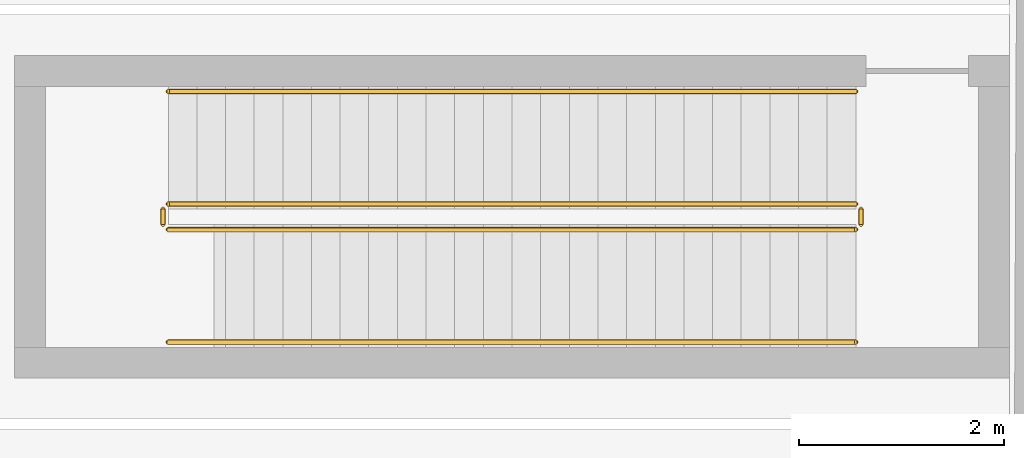
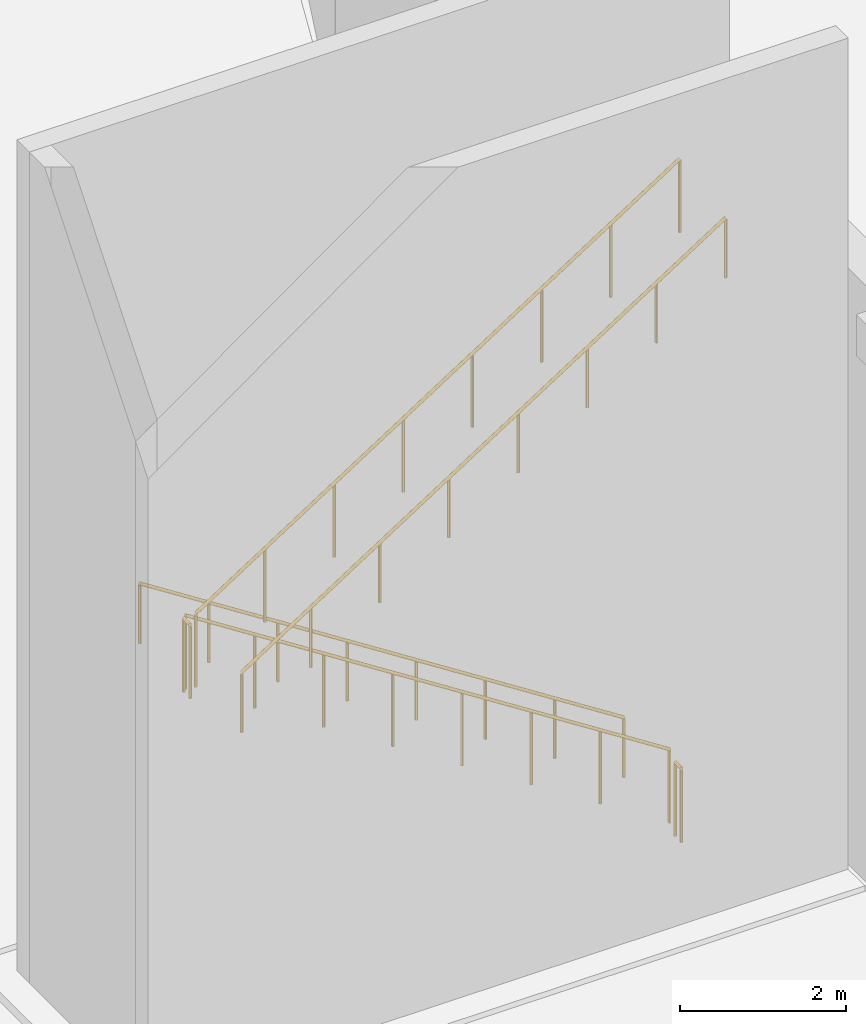
# One storey, part 18 of 29: 6 railings.
"""IFC4 building model written with IfcOpenShell, lengths in metres."""

from ifc_helpers import new_model, si_unit, direction, frame, origin, origin_2d, place, context, subcontext, project, spatial, circle, extrude, material, type_object, element, save


model = new_model("IFC4")

# Units and contexts
model_context = context("Model", 3, precision=1e-05, world=origin(), true_north=direction((0.0, 1.0)))
body_context = subcontext(model_context, "Body", "Model", "MODEL_VIEW")
ifc_project = project(units=[si_unit("LENGTHUNIT", "METRE"), si_unit("AREAUNIT", "SQUARE_METRE"), si_unit("VOLUMEUNIT", "CUBIC_METRE"), si_unit("PLANEANGLEUNIT", "RADIAN"), si_unit("MASSUNIT", "GRAM", prefix="KILO")], contexts=[model_context])

# Site, building, storey
site_placement = place(None, origin())
site = spatial("IfcSite", under=ifc_project, at=site_placement, CompositionType="ELEMENT")
building_placement = place(site_placement, origin())
building = spatial("IfcBuilding", under=site, at=building_placement, Name="Sierra Prisma Convention Tower", CompositionType="ELEMENT")
storey_placement = place(building_placement, origin())
storey = spatial("IfcBuildingStorey", under=building, at=storey_placement, Name="L00", CompositionType="ELEMENT", Elevation=0.0)

# Railings
ifc_material_1 = material(Name="Stainless steel", Category="steel")
railing_type_1 = type_object("IfcRailingType", Name="Exit stair handrail", PredefinedType="HANDRAIL", material=ifc_material_1)
railing_1_placement = place(storey_placement, frame((-47.8544921875, -19.375, 0.179931640625)))
element("IfcRailing", 1, at=railing_1_placement, inside=storey, type_object=railing_type_1, Name="L00 EX1 stair handrail 1", PredefinedType="HANDRAIL", context=body_context, shape_type="SweptSolid", body=[
    extrude(circle(Radius=0.02392578125, at=origin_2d()), frame((0.0, 0.0, 0.8759765625), z_axis=(-0.841182446993, 0.0, 0.540751413193), x_axis=(0.0, -1.0, 0.0)), (0.0, 0.0, 1.0), 7.989013671875),
    extrude(circle(Radius=0.02099609375, at=origin_2d()), origin(), (0.0, 0.0, 1.0), 0.851806640625),
    extrude(circle(Radius=0.02099609375, at=origin_2d()), frame((-0.9599609375, 0.0, 0.6171875)), (0.0, 0.0, 1.0), 0.851806640625),
    extrude(circle(Radius=0.02099609375, at=origin_2d()), frame((-1.920166015625, 0.0, 1.234375)), (0.0, 0.0, 1.0), 0.851806640625),
    extrude(circle(Radius=0.02099609375, at=origin_2d()), frame((-2.880126953125, 0.0, 1.8515625)), (0.0, 0.0, 1.0), 0.851806640625),
    extrude(circle(Radius=0.02099609375, at=origin_2d()), frame((-3.840087890625, 0.0, 2.468505859375)), (0.0, 0.0, 1.0), 0.851806640625),
    extrude(circle(Radius=0.02099609375, at=origin_2d()), frame((-4.800048828125, 0.0, 3.085693359375)), (0.0, 0.0, 1.0), 0.851806640625),
    extrude(circle(Radius=0.02099609375, at=origin_2d()), frame((-5.76025390625, 0.0, 3.702880859375)), (0.0, 0.0, 1.0), 0.851806640625),
    extrude(circle(Radius=0.02099609375, at=origin_2d()), frame((-6.72021484375, 0.0, 4.320068359375)), (0.0, 0.0, 1.0), 0.851806640625),
])
railing_2_placement = place(storey_placement, frame((-54.57470703125, -21.824951171875, 4.679931640625)))
element("IfcRailing", 2, at=railing_2_placement, inside=storey, type_object=railing_type_1, Name="L00 EX1 stair handrail 2", PredefinedType="HANDRAIL", context=body_context, shape_type="SweptSolid", body=[
    extrude(circle(Radius=0.02392578125, at=origin_2d()), frame((0.0, 0.0, 0.8759765625), z_axis=(0.841182446993, 0.0, 0.540751413193), x_axis=(0.0, 1.0, 0.0)), (0.0, 0.0, 1.0), 7.989013671875),
    extrude(circle(Radius=0.02099609375, at=origin_2d()), origin(), (0.0, 0.0, 1.0), 0.851806640625),
    extrude(circle(Radius=0.02099609375, at=origin_2d()), frame((0.9599609375, 0.0, 0.6171875)), (0.0, 0.0, 1.0), 0.851806640625),
    extrude(circle(Radius=0.02099609375, at=origin_2d()), frame((1.920166015625, 0.0, 1.234375)), (0.0, 0.0, 1.0), 0.851806640625),
    extrude(circle(Radius=0.02099609375, at=origin_2d()), frame((2.880126953125, 0.0, 1.8515625)), (0.0, 0.0, 1.0), 0.851806640625),
    extrude(circle(Radius=0.02099609375, at=origin_2d()), frame((3.840087890625, 0.0, 2.468505859375)), (0.0, 0.0, 1.0), 0.851806640625),
    extrude(circle(Radius=0.02099609375, at=origin_2d()), frame((4.800048828125, 0.0, 3.085693359375)), (0.0, 0.0, 1.0), 0.851806640625),
    extrude(circle(Radius=0.02099609375, at=origin_2d()), frame((5.76025390625, 0.0, 3.702880859375)), (0.0, 0.0, 1.0), 0.851806640625),
    extrude(circle(Radius=0.02099609375, at=origin_2d()), frame((6.72021484375, 0.0, 4.320068359375)), (0.0, 0.0, 1.0), 0.851806640625),
])
ifc_material_2 = material(Name="Stainless steel", Category="steel")
railing_type_2 = type_object("IfcRailingType", Name="Stair guard 1100", PredefinedType="GUARDRAIL", material=ifc_material_2)
railing_3_placement = place(storey_placement, frame((-47.8544921875, -20.47509765625, 0.179931640625)))
element("IfcRailing", 3, at=railing_3_placement, inside=storey, type_object=railing_type_2, Name="L00 EX1 stair guard 1", PredefinedType="GUARDRAIL", context=body_context, shape_type="SweptSolid", body=[
    extrude(circle(Radius=0.02392578125, at=origin_2d()), frame((0.0, 0.0, 1.076171875), z_axis=(-0.841182446993, 0.0, 0.540751413193), x_axis=(0.0, -1.0, 0.0)), (0.0, 0.0, 1.0), 7.989013671875),
    extrude(circle(Radius=0.02099609375, at=origin_2d()), origin(), (0.0, 0.0, 1.0), 1.052001953125),
    extrude(circle(Radius=0.02099609375, at=origin_2d()), frame((-0.9599609375, 0.0, 0.6171875)), (0.0, 0.0, 1.0), 1.052001953125),
    extrude(circle(Radius=0.02099609375, at=origin_2d()), frame((-1.920166015625, 0.0, 1.234375)), (0.0, 0.0, 1.0), 1.052001953125),
    extrude(circle(Radius=0.02099609375, at=origin_2d()), frame((-2.880126953125, 0.0, 1.8515625)), (0.0, 0.0, 1.0), 1.052001953125),
    extrude(circle(Radius=0.02099609375, at=origin_2d()), frame((-3.840087890625, 0.0, 2.468505859375)), (0.0, 0.0, 1.0), 1.052001953125),
    extrude(circle(Radius=0.02099609375, at=origin_2d()), frame((-4.800048828125, 0.0, 3.085693359375)), (0.0, 0.0, 1.0), 1.052001953125),
    extrude(circle(Radius=0.02099609375, at=origin_2d()), frame((-5.76025390625, 0.0, 3.702880859375)), (0.0, 0.0, 1.0), 1.052001953125),
    extrude(circle(Radius=0.02099609375, at=origin_2d()), frame((-6.72021484375, 0.0, 4.320068359375)), (0.0, 0.0, 1.0), 1.052001953125),
])
railing_4_placement = place(storey_placement, frame((-54.62451171875, -20.52490234375, 4.5)))
element("IfcRailing", 4, at=railing_4_placement, inside=storey, type_object=railing_type_2, Name="L00 EX1 stair guard 2", PredefinedType="GUARDRAIL", context=body_context, shape_type="SweptSolid", body=[
    extrude(circle(Radius=0.02392578125, at=origin_2d()), frame((0.0, 0.0, 1.076171875), z_axis=(0.0, -1.0, 0.0), x_axis=(1.0, 0.0, 0.0)), (0.0, 0.0, 1.0), 0.150146484375),
    extrude(circle(Radius=0.02099609375, at=origin_2d()), origin(), (0.0, 0.0, 1.0), 1.052001953125),
    extrude(circle(Radius=0.02099609375, at=origin_2d()), frame((0.0, -0.150146484375, 0.0)), (0.0, 0.0, 1.0), 1.052001953125),
])
railing_5_placement = place(storey_placement, frame((-54.57470703125, -20.72509765625, 4.679931640625)))
element("IfcRailing", 5, at=railing_5_placement, inside=storey, type_object=railing_type_2, Name="L00 EX1 stair guard 3", PredefinedType="GUARDRAIL", context=body_context, shape_type="SweptSolid", body=[
    extrude(circle(Radius=0.02392578125, at=origin_2d()), frame((0.0, 0.0, 1.076171875), z_axis=(0.841182446993, 0.0, 0.540751413193), x_axis=(0.0, 1.0, 0.0)), (0.0, 0.0, 1.0), 7.989013671875),
    extrude(circle(Radius=0.02099609375, at=origin_2d()), origin(), (0.0, 0.0, 1.0), 1.052001953125),
    extrude(circle(Radius=0.02099609375, at=origin_2d()), frame((0.9599609375, 0.0, 0.6171875)), (0.0, 0.0, 1.0), 1.052001953125),
    extrude(circle(Radius=0.02099609375, at=origin_2d()), frame((1.920166015625, 0.0, 1.234375)), (0.0, 0.0, 1.0), 1.052001953125),
    extrude(circle(Radius=0.02099609375, at=origin_2d()), frame((2.880126953125, 0.0, 1.8515625)), (0.0, 0.0, 1.0), 1.052001953125),
    extrude(circle(Radius=0.02099609375, at=origin_2d()), frame((3.840087890625, 0.0, 2.468505859375)), (0.0, 0.0, 1.0), 1.052001953125),
    extrude(circle(Radius=0.02099609375, at=origin_2d()), frame((4.800048828125, 0.0, 3.085693359375)), (0.0, 0.0, 1.0), 1.052001953125),
    extrude(circle(Radius=0.02099609375, at=origin_2d()), frame((5.76025390625, 0.0, 3.702880859375)), (0.0, 0.0, 1.0), 1.052001953125),
    extrude(circle(Radius=0.02099609375, at=origin_2d()), frame((6.72021484375, 0.0, 4.320068359375)), (0.0, 0.0, 1.0), 1.052001953125),
])
railing_6_placement = place(storey_placement, frame((-47.8046875, -20.52490234375, 0.0)))
element("IfcRailing", 6, at=railing_6_placement, inside=storey, type_object=railing_type_2, Name="L00 EX1 stair guard 4", PredefinedType="GUARDRAIL", context=body_context, shape_type="SweptSolid", body=[
    extrude(circle(Radius=0.02392578125, at=origin_2d()), frame((0.0, 0.0, 1.076171875), z_axis=(0.0, -1.0, 0.0), x_axis=(1.0, 0.0, 0.0)), (0.0, 0.0, 1.0), 0.150146484375),
    extrude(circle(Radius=0.02099609375, at=origin_2d()), origin(), (0.0, 0.0, 1.0), 1.052001953125),
    extrude(circle(Radius=0.02099609375, at=origin_2d()), frame((0.0, -0.150146484375, 0.0)), (0.0, 0.0, 1.0), 1.052001953125),
])

save(model, "model.ifc")
